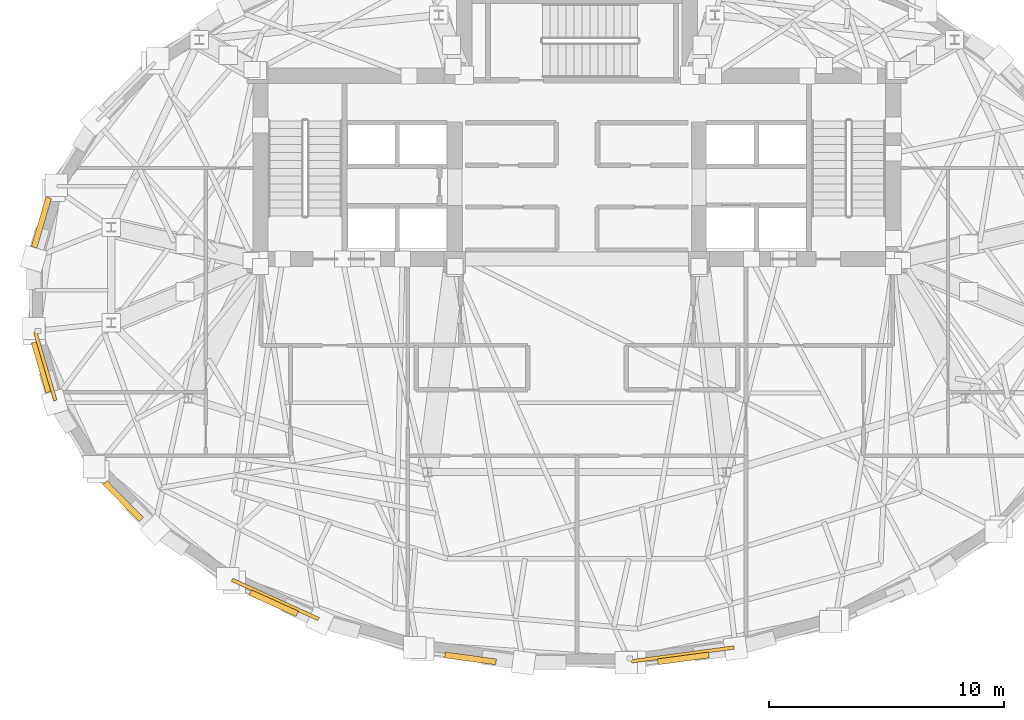
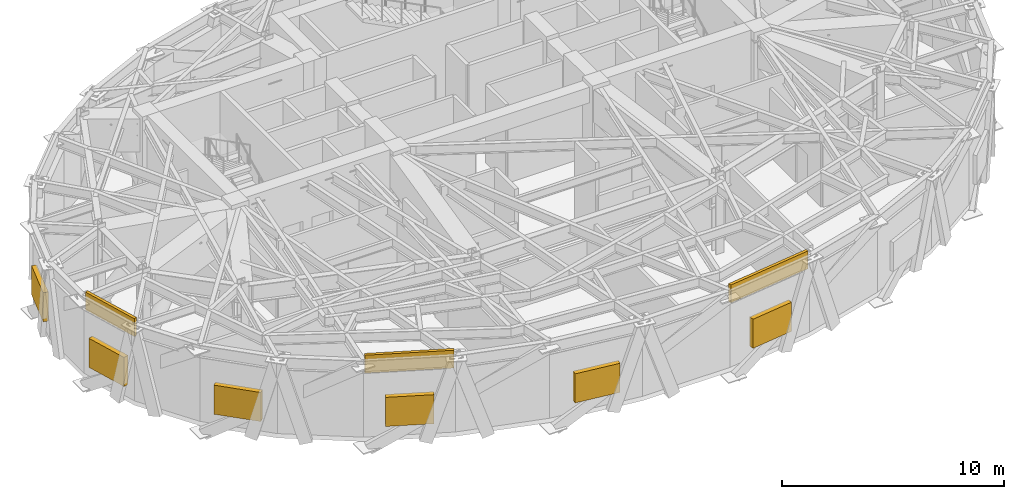
# One storey, part 10 of 12: 6 shading devices, 3 coverings.
"""IFC4 building model written with IfcOpenShell, lengths in metres."""

from ifc_helpers import new_model, si_unit, direction, frame, origin, origin_2d, place, context, subcontext, project, spatial, rectangle, extrude, material, layer, layer_set, type_object, element, save


model = new_model("IFC4")

# Units and contexts
model_context = context("Model", 3, precision=1e-05, world=origin(), true_north=direction((0.0, 1.0)))
body_context = subcontext(model_context, "Body", "Model", "MODEL_VIEW")
ifc_project = project(units=[si_unit("LENGTHUNIT", "METRE"), si_unit("AREAUNIT", "SQUARE_METRE"), si_unit("VOLUMEUNIT", "CUBIC_METRE"), si_unit("PLANEANGLEUNIT", "RADIAN"), si_unit("MASSUNIT", "GRAM", prefix="KILO")], contexts=[model_context])

# Site, building, storey
site_placement = place(None, origin())
site = spatial("IfcSite", under=ifc_project, at=site_placement, CompositionType="ELEMENT")
building_placement = place(site_placement, origin())
building = spatial("IfcBuilding", under=site, at=building_placement, Name="Keldmark Tower", CompositionType="ELEMENT")
storey_placement = place(building_placement, frame((0.0, 0.0, 201.39990234375)))
storey = spatial("IfcBuildingStorey", under=building, at=storey_placement, Name="L56", CompositionType="ELEMENT", Elevation=201.39990234375)

# Coverings
ifc_material_1 = material(Name="Honed Kasota Buff Dolomitic Limestone", Category="masonry")
ifc_layer = layer(ifc_material_1, 0.074951171875)
ifc_layer_set = layer_set([ifc_layer], Name="Honed Kasota Buff Dolomitic Limestone")
covering_type = type_object("IfcCoveringType", Name="Kasota Buff Limestone Spandrel Cladding Band", PredefinedType="CLADDING", material=ifc_layer_set)
covering_1_placement = place(storey_placement, frame((-22.63671875, -3.03662109375, 3.4990234375), z_axis=(0.0, 0.0, 1.0), x_axis=(0.281470694936, -0.959569824396, 0.0)))
element("IfcCovering", 1, at=covering_1_placement, inside=storey, type_object=covering_type, Name="L56 Kasota Limestone Spandrel Band 17", PredefinedType="CLADDING", context=body_context, shape_type="SweptSolid", body=[
    extrude(rectangle(XDim=3.0458984375, YDim=0.14990234375, at=origin_2d()), origin(), (0.0, 0.0, 1.0), 0.98095703125),
])
covering_2_placement = place(storey_placement, frame((-12.837158203125, -12.973876953125, 3.4990234375), z_axis=(0.0, 0.0, 1.0), x_axis=(0.910863824921, -0.412707029804, 0.0)))
element("IfcCovering", 2, at=covering_2_placement, inside=storey, type_object=covering_type, Name="L56 Kasota Limestone Spandrel Band 21", PredefinedType="CLADDING", context=body_context, shape_type="SweptSolid", body=[
    extrude(rectangle(XDim=4.049560546875, YDim=0.14990234375, at=origin_2d()), origin(), (0.0, 0.0, 1.0), 0.98095703125),
])
covering_3_placement = place(storey_placement, frame((4.509033203125, -15.312744140625, 3.4990234375), z_axis=(0.0, 0.0, 1.0), x_axis=(0.991027576728, 0.133657555584, 0.0)))
element("IfcCovering", 3, at=covering_3_placement, inside=storey, type_object=covering_type, Name="L56 Kasota Limestone Spandrel Band 25", PredefinedType="CLADDING", context=body_context, shape_type="SweptSolid", body=[
    extrude(rectangle(XDim=4.400390625, YDim=0.14990234375, at=origin_2d()), origin(), (0.0, 0.0, 1.0), 0.98095703125),
])

# Shading devices
ifc_material_2 = material(Name="Fluoropolymer-Coated Extruded Aluminum Stormproof Blades", Category="aluminium")
shading_device_type = type_object("IfcShadingDeviceType", Name="Mechanical Floor Acoustic Intake Louvre", PredefinedType="JALOUSIE", material=ifc_material_2)
for number, where, z_axis, x_axis, name in (
    (4, (-22.7998046875, 3.08447265625, 0.650146484375), (0.0, 0.0, 1.0), (-0.281470694936, -0.959569824396, 0.0), "L56 Acoustic Stormproof Louvre 15"),
    (5, (-22.7998046875, -3.08447265625, 0.650146484375), (0.0, 0.0, 1.0), (0.281470694936, -0.959569824396, 0.0), "L56 Acoustic Stormproof Louvre 17"),
    (6, (-19.32275390625, -8.77783203125, 0.650146484375), (0.0, 0.0, 1.0), (0.701892034663, -0.712283350695, 0.0), "L56 Acoustic Stormproof Louvre 19"),
    (7, (-12.9072265625, -13.128662109375, 0.650146484375), (0.0, 0.0, 1.0), (0.910863824921, -0.412707029804, 0.0), "L56 Acoustic Stormproof Louvre 21"),
    (8, (-4.53173828125, -15.481201171875, 0.650146484375), (0.0, 0.0, 1.0), (0.991027576728, -0.133657555584, 0.0), "L56 Acoustic Stormproof Louvre 23"),
    (9, (4.53173828125, -15.481201171875, 0.650146484375), (0.0, 0.0, 1.0), (0.991027576728, 0.133657555584, 0.0), "L56 Acoustic Stormproof Louvre 25"),
):
    element("IfcShadingDevice", number, at=place(storey_placement, frame(where, z_axis=z_axis, x_axis=x_axis)), inside=storey, type_object=shading_device_type, Name=name, PredefinedType="JALOUSIE", context=body_context, shape_type="SweptSolid", body=[
        extrude(rectangle(XDim=2.199951171875, YDim=0.25, at=origin_2d()), origin(), (0.0, 0.0, 1.0), 1.60009765625),
    ])

save(model, "model.ifc")
